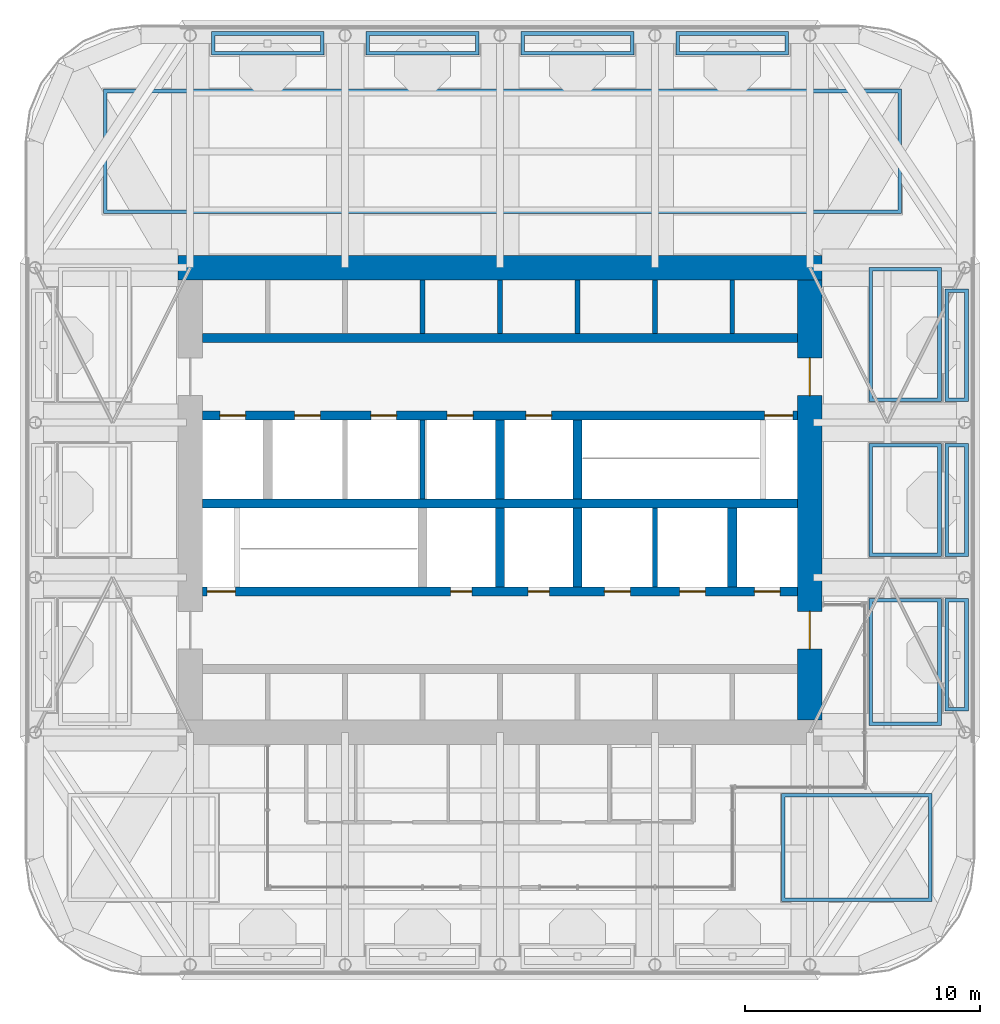
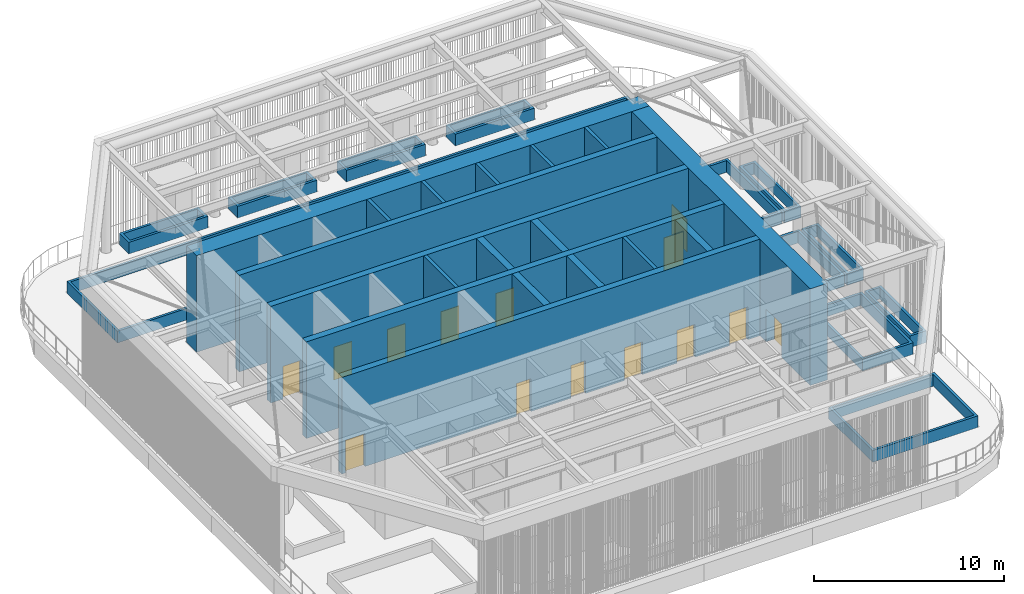
# One storey, part 7 of 22: 30 walls, 14 doors, 14 openings.
"""IFC4 building model written with IfcOpenShell, lengths in metres."""

from ifc_helpers import new_model, si_unit, direction, frame, frame_2d, origin, place, context, subcontext, project, spatial, polyline, rectangle, outline, extrude, material, layer, layer_set, type_object, element, fill, save


model = new_model("IFC4")

# Units and contexts
model_context = context("Model", 3, precision=1e-05, world=origin(), true_north=direction((0.0, 1.0)))
body_context = subcontext(model_context, "Body", "Model", "MODEL_VIEW")
ifc_project = project(units=[si_unit("LENGTHUNIT", "METRE"), si_unit("AREAUNIT", "SQUARE_METRE"), si_unit("VOLUMEUNIT", "CUBIC_METRE"), si_unit("PLANEANGLEUNIT", "RADIAN"), si_unit("MASSUNIT", "GRAM", prefix="KILO")], contexts=[model_context])

# Site, building, storey
site_placement = place(None, origin())
site = spatial("IfcSite", under=ifc_project, at=site_placement, CompositionType="ELEMENT")
building_placement = place(site_placement, origin())
building = spatial("IfcBuilding", under=site, at=building_placement, Name="Cobogo Forest Laboratory Tower", CompositionType="ELEMENT")
storey_placement = place(building_placement, frame((0.0, 0.0, 292.800048828125)))
storey = spatial("IfcBuildingStorey", under=building, at=storey_placement, Name="RF", CompositionType="ELEMENT", Elevation=292.800048828125)

# Wall, openings, doors
ifc_material_1 = material(Name="Concrete HA-50 (C50/60)", Category="concrete")
ifc_layer_1 = layer(ifc_material_1, 0.39990234375)
ifc_layer_set_1 = layer_set([ifc_layer_1], Name="CI400 core inner wall 400")
wall_type_1 = type_object("IfcWallType", Name="CI400 core inner wall 400", PredefinedType="SHEAR", material=ifc_layer_set_1)
wall_1_placement = place(storey_placement, frame((13.72509765625, 19.199951171875, 0.0), z_axis=(0.0, 0.0, 1.0), x_axis=(1.0, 0.0, 0.0)))
wall_1 = element("IfcWall", 1, at=wall_1_placement, inside=storey, type_object=wall_type_1, Name="Core wall CI-19.2 RF", PredefinedType="SHEAR", context=body_context, shape_type="SweptSolid", body=[
    extrude(rectangle(XDim=25.349853515625, YDim=0.39990234375, at=frame_2d((12.6748046875, 0.0))), origin(), (0.0, 0.0, 1.0), 6.199951171875),
])
opening_1_placement = place(wall_1_placement, frame((10.574951171875, 0.0, 0.0)))
opening_1 = element("IfcOpeningElement", 2, at=opening_1_placement, cuts=wall_1, Name="Opening RF-D10", PredefinedType="OPENING", context=body_context, shape_type="SweptSolid", body=[
    extrude(rectangle(XDim=0.89990234375, YDim=2.10009765625, at=frame_2d((0.449951171875, 1.050048828125))), frame((0.0, 0.2099609375, 0.0), z_axis=(0.0, -1.0, 0.0), x_axis=(1.0, 0.0, 0.0)), (0.0, 0.0, 1.0), 0.419921875),
])
opening_2_placement = place(wall_1_placement, frame((13.875, 0.0, 0.0)))
opening_2 = element("IfcOpeningElement", 3, at=opening_2_placement, cuts=wall_1, Name="Opening RF-D11", PredefinedType="OPENING", context=body_context, shape_type="SweptSolid", body=[
    extrude(rectangle(XDim=0.89990234375, YDim=2.10009765625, at=frame_2d((0.449951171875, 1.050048828125))), frame((0.0, 0.2099609375, 0.0), z_axis=(0.0, -1.0, 0.0), x_axis=(1.0, 0.0, 0.0)), (0.0, 0.0, 1.0), 0.419921875),
])
opening_3_placement = place(wall_1_placement, frame((0.199951171875, 0.0, 0.0)))
opening_3 = element("IfcOpeningElement", 4, at=opening_3_placement, cuts=wall_1, Name="Opening RF-D09", PredefinedType="OPENING", context=body_context, shape_type="SweptSolid", body=[
    extrude(rectangle(XDim=1.199951171875, YDim=2.10009765625, at=frame_2d((0.60009765625, 1.050048828125))), frame((0.0, 0.2099609375, 0.0), z_axis=(0.0, -1.0, 0.0), x_axis=(1.0, 0.0, 0.0)), (0.0, 0.0, 1.0), 0.419921875),
])
opening_4_placement = place(wall_1_placement, frame((23.512451171875, 0.0, 0.0)))
opening_4 = element("IfcOpeningElement", 5, at=opening_4_placement, cuts=wall_1, Name="Opening RF-LD-FL2", PredefinedType="OPENING", context=body_context, shape_type="SweptSolid", body=[
    extrude(rectangle(XDim=1.10009765625, YDim=2.10009765625, at=frame_2d((0.550048828125, 1.050048828125))), frame((0.0, 0.2099609375, 0.0), z_axis=(0.0, -1.0, 0.0), x_axis=(1.0, 0.0, 0.0)), (0.0, 0.0, 1.0), 0.419921875),
])
opening_5_placement = place(wall_1_placement, frame((17.125, 0.0, 0.0)))
opening_5 = element("IfcOpeningElement", 6, at=opening_5_placement, cuts=wall_1, Name="Opening RF-LD-LS1", PredefinedType="OPENING", context=body_context, shape_type="SweptSolid", body=[
    extrude(rectangle(XDim=1.10009765625, YDim=2.10009765625, at=frame_2d((0.550048828125, 1.050048828125))), frame((0.0, 0.2099609375, 0.0), z_axis=(0.0, -1.0, 0.0), x_axis=(1.0, 0.0, 0.0)), (0.0, 0.0, 1.0), 0.419921875),
])
opening_6_placement = place(wall_1_placement, frame((20.324951171875, 0.0, 0.0)))
opening_6 = element("IfcOpeningElement", 7, at=opening_6_placement, cuts=wall_1, Name="Opening RF-LD-LS2", PredefinedType="OPENING", context=body_context, shape_type="SweptSolid", body=[
    extrude(rectangle(XDim=1.10009765625, YDim=2.10009765625, at=frame_2d((0.550048828125, 1.050048828125))), frame((0.0, 0.2099609375, 0.0), z_axis=(0.0, -1.0, 0.0), x_axis=(1.0, 0.0, 0.0)), (0.0, 0.0, 1.0), 0.419921875),
])
ifc_material_2 = material(Name="Steel fire door", Category="steel")
door_type_1 = type_object("IfcDoorType", Name="DS1 protected stair door 1200 EI2 60", OperationType="SINGLE_SWING_LEFT", PredefinedType="DOOR", material=ifc_material_2)
door_1_placement = place(opening_3_placement, origin())
door_1 = element("IfcDoor", 8, at=door_1_placement, inside=storey, type_object=door_type_1, Name="Door RF-ST1", OperationType="SINGLE_SWING_LEFT", OverallHeight=2.10009765625, OverallWidth=1.199951171875, PredefinedType="DOOR", context=body_context, shape_type="SweptSolid", body=[
    extrude(rectangle(XDim=1.199951171875, YDim=2.10009765625, at=frame_2d((0.60009765625, 1.050048828125))), frame((0.0, 0.02490234375, 0.0), z_axis=(0.0, -1.0, 0.0), x_axis=(1.0, 0.0, 0.0)), (0.0, 0.0, 1.0), 0.050048828125),
])
fill(opening_3, door_1)
door_type_2 = type_object("IfcDoorType", Name="FD4 riser access door 900 EI2 60", OperationType="SINGLE_SWING_LEFT", PredefinedType="DOOR", material=ifc_material_2)
door_2_placement = place(opening_1_placement, origin())
door_2 = element("IfcDoor", 9, at=door_2_placement, inside=storey, type_object=door_type_2, Name="Door RF-R1", OperationType="SINGLE_SWING_LEFT", OverallHeight=2.10009765625, OverallWidth=0.89990234375, PredefinedType="DOOR", context=body_context, shape_type="SweptSolid", body=[
    extrude(rectangle(XDim=0.89990234375, YDim=2.10009765625, at=frame_2d((0.449951171875, 1.050048828125))), frame((0.0, 0.02490234375, 0.0), z_axis=(0.0, -1.0, 0.0), x_axis=(1.0, 0.0, 0.0)), (0.0, 0.0, 1.0), 0.050048828125),
])
fill(opening_1, door_2)
door_3_placement = place(opening_2_placement, origin())
door_3 = element("IfcDoor", 10, at=door_3_placement, inside=storey, type_object=door_type_2, Name="Door RF-R2", OperationType="SINGLE_SWING_RIGHT", OverallHeight=2.10009765625, OverallWidth=0.89990234375, PredefinedType="DOOR", context=body_context, shape_type="SweptSolid", body=[
    extrude(rectangle(XDim=0.89990234375, YDim=2.10009765625, at=frame_2d((0.449951171875, 1.050048828125))), frame((0.0, 0.02490234375, 0.0), z_axis=(0.0, -1.0, 0.0), x_axis=(1.0, 0.0, 0.0)), (0.0, 0.0, 1.0), 0.050048828125),
])
fill(opening_2, door_3)
ifc_material_3 = material(Name="Stainless steel lift door", Category="steel")
door_type_3 = type_object("IfcDoorType", Name="LD lift landing door 1100", OperationType="DOUBLE_DOOR_SLIDING", PredefinedType="DOOR", material=ifc_material_3)
door_4_placement = place(opening_4_placement, origin())
door_4 = element("IfcDoor", 11, at=door_4_placement, inside=storey, type_object=door_type_3, Name="Lift landing door FL2 RF", OperationType="DOUBLE_DOOR_SLIDING", OverallHeight=2.10009765625, OverallWidth=1.10009765625, PredefinedType="DOOR", context=body_context, shape_type="SweptSolid", body=[
    extrude(rectangle(XDim=1.10009765625, YDim=2.10009765625, at=frame_2d((0.550048828125, 1.050048828125))), frame((0.0, 0.02490234375, 0.0), z_axis=(0.0, -1.0, 0.0), x_axis=(1.0, 0.0, 0.0)), (0.0, 0.0, 1.0), 0.050048828125),
])
fill(opening_4, door_4)
door_5_placement = place(opening_5_placement, origin())
door_5 = element("IfcDoor", 12, at=door_5_placement, inside=storey, type_object=door_type_3, Name="Lift landing door LS1 RF", OperationType="DOUBLE_DOOR_SLIDING", OverallHeight=2.10009765625, OverallWidth=1.10009765625, PredefinedType="DOOR", context=body_context, shape_type="SweptSolid", body=[
    extrude(rectangle(XDim=1.10009765625, YDim=2.10009765625, at=frame_2d((0.550048828125, 1.050048828125))), frame((0.0, 0.02490234375, 0.0), z_axis=(0.0, -1.0, 0.0), x_axis=(1.0, 0.0, 0.0)), (0.0, 0.0, 1.0), 0.050048828125),
])
fill(opening_5, door_5)
door_6_placement = place(opening_6_placement, origin())
door_6 = element("IfcDoor", 13, at=door_6_placement, inside=storey, type_object=door_type_3, Name="Lift landing door LS2 RF", OperationType="DOUBLE_DOOR_SLIDING", OverallHeight=2.10009765625, OverallWidth=1.10009765625, PredefinedType="DOOR", context=body_context, shape_type="SweptSolid", body=[
    extrude(rectangle(XDim=1.10009765625, YDim=2.10009765625, at=frame_2d((0.550048828125, 1.050048828125))), frame((0.0, 0.02490234375, 0.0), z_axis=(0.0, -1.0, 0.0), x_axis=(1.0, 0.0, 0.0)), (0.0, 0.0, 1.0), 0.050048828125),
])
fill(opening_6, door_6)

# Wall
wall_2_placement = place(storey_placement, frame((13.72509765625, 22.949951171875, 0.0), z_axis=(0.0, 0.0, 1.0), x_axis=(1.0, 0.0, 0.0)))
element("IfcWall", 14, at=wall_2_placement, inside=storey, type_object=wall_type_1, Name="Core wall CI-22.95 RF", PredefinedType="SHEAR", context=body_context, shape_type="SweptSolid", body=[
    extrude(rectangle(XDim=25.349853515625, YDim=0.39990234375, at=frame_2d((12.6748046875, 0.0))), origin(), (0.0, 0.0, 1.0), 6.199951171875),
])

# Wall, openings, doors
wall_3_placement = place(storey_placement, frame((13.72509765625, 26.699951171875, 0.0), z_axis=(0.0, 0.0, 1.0), x_axis=(1.0, 0.0, 0.0)))
wall_3 = element("IfcWall", 15, at=wall_3_placement, inside=storey, type_object=wall_type_1, Name="Core wall CI-26.7 RF", PredefinedType="SHEAR", context=body_context, shape_type="SweptSolid", body=[
    extrude(rectangle(XDim=25.349853515625, YDim=0.39990234375, at=frame_2d((12.6748046875, 0.0))), origin(), (0.0, 0.0, 1.0), 6.199951171875),
])
opening_7_placement = place(wall_3_placement, frame((23.949951171875, 0.0, 0.0)))
opening_7 = element("IfcOpeningElement", 16, at=opening_7_placement, cuts=wall_3, Name="Opening RF-D12", PredefinedType="OPENING", context=body_context, shape_type="SweptSolid", body=[
    extrude(rectangle(XDim=1.199951171875, YDim=2.10009765625, at=frame_2d((0.60009765625, 1.050048828125))), frame((0.0, 0.2099609375, 0.0), z_axis=(0.0, -1.0, 0.0), x_axis=(1.0, 0.0, 0.0)), (0.0, 0.0, 1.0), 0.419921875),
])
opening_8_placement = place(wall_3_placement, frame((0.737548828125, 0.0, 0.0)))
opening_8 = element("IfcOpeningElement", 17, at=opening_8_placement, cuts=wall_3, Name="Opening RF-LD-FL1", PredefinedType="OPENING", context=body_context, shape_type="SweptSolid", body=[
    extrude(rectangle(XDim=1.10009765625, YDim=2.10009765625, at=frame_2d((0.550048828125, 1.050048828125))), frame((0.0, 0.2099609375, 0.0), z_axis=(0.0, -1.0, 0.0), x_axis=(1.0, 0.0, 0.0)), (0.0, 0.0, 1.0), 0.419921875),
])
opening_9_placement = place(wall_3_placement, frame((3.925048828125, 0.0, 0.0)))
opening_9 = element("IfcOpeningElement", 18, at=opening_9_placement, cuts=wall_3, Name="Opening RF-LD-LS3", PredefinedType="OPENING", context=body_context, shape_type="SweptSolid", body=[
    extrude(rectangle(XDim=1.10009765625, YDim=2.10009765625, at=frame_2d((0.550048828125, 1.050048828125))), frame((0.0, 0.2099609375, 0.0), z_axis=(0.0, -1.0, 0.0), x_axis=(1.0, 0.0, 0.0)), (0.0, 0.0, 1.0), 0.419921875),
])
opening_10_placement = place(wall_3_placement, frame((7.175048828125, 0.0, 0.0)))
opening_10 = element("IfcOpeningElement", 19, at=opening_10_placement, cuts=wall_3, Name="Opening RF-LD-LS4", PredefinedType="OPENING", context=body_context, shape_type="SweptSolid", body=[
    extrude(rectangle(XDim=1.10009765625, YDim=2.10009765625, at=frame_2d((0.550048828125, 1.050048828125))), frame((0.0, 0.2099609375, 0.0), z_axis=(0.0, -1.0, 0.0), x_axis=(1.0, 0.0, 0.0)), (0.0, 0.0, 1.0), 0.419921875),
])
opening_11_placement = place(wall_3_placement, frame((10.425048828125, 0.0, 0.0)))
opening_11 = element("IfcOpeningElement", 20, at=opening_11_placement, cuts=wall_3, Name="Opening RF-LD-LS5", PredefinedType="OPENING", context=body_context, shape_type="SweptSolid", body=[
    extrude(rectangle(XDim=1.10009765625, YDim=2.10009765625, at=frame_2d((0.550048828125, 1.050048828125))), frame((0.0, 0.2099609375, 0.0), z_axis=(0.0, -1.0, 0.0), x_axis=(1.0, 0.0, 0.0)), (0.0, 0.0, 1.0), 0.419921875),
])
opening_12_placement = place(wall_3_placement, frame((13.77490234375, 0.0, 0.0)))
opening_12 = element("IfcOpeningElement", 21, at=opening_12_placement, cuts=wall_3, Name="Opening RF-LD-LS6", PredefinedType="OPENING", context=body_context, shape_type="SweptSolid", body=[
    extrude(rectangle(XDim=1.10009765625, YDim=2.10009765625, at=frame_2d((0.550048828125, 1.050048828125))), frame((0.0, 0.2099609375, 0.0), z_axis=(0.0, -1.0, 0.0), x_axis=(1.0, 0.0, 0.0)), (0.0, 0.0, 1.0), 0.419921875),
])
door_7_placement = place(opening_7_placement, origin())
door_7 = element("IfcDoor", 22, at=door_7_placement, inside=storey, type_object=door_type_1, Name="Door RF-ST2", OperationType="SINGLE_SWING_RIGHT", OverallHeight=2.10009765625, OverallWidth=1.199951171875, PredefinedType="DOOR", context=body_context, shape_type="SweptSolid", body=[
    extrude(rectangle(XDim=1.199951171875, YDim=2.10009765625, at=frame_2d((0.60009765625, 1.050048828125))), frame((0.0, 0.02490234375, 0.0), z_axis=(0.0, -1.0, 0.0), x_axis=(1.0, 0.0, 0.0)), (0.0, 0.0, 1.0), 0.050048828125),
])
fill(opening_7, door_7)
door_8_placement = place(opening_8_placement, origin())
door_8 = element("IfcDoor", 23, at=door_8_placement, inside=storey, type_object=door_type_3, Name="Lift landing door FL1 RF", OperationType="DOUBLE_DOOR_SLIDING", OverallHeight=2.10009765625, OverallWidth=1.10009765625, PredefinedType="DOOR", context=body_context, shape_type="SweptSolid", body=[
    extrude(rectangle(XDim=1.10009765625, YDim=2.10009765625, at=frame_2d((0.550048828125, 1.050048828125))), frame((0.0, 0.02490234375, 0.0), z_axis=(0.0, -1.0, 0.0), x_axis=(1.0, 0.0, 0.0)), (0.0, 0.0, 1.0), 0.050048828125),
])
fill(opening_8, door_8)
door_9_placement = place(opening_9_placement, origin())
door_9 = element("IfcDoor", 24, at=door_9_placement, inside=storey, type_object=door_type_3, Name="Lift landing door LS3 RF", OperationType="DOUBLE_DOOR_SLIDING", OverallHeight=2.10009765625, OverallWidth=1.10009765625, PredefinedType="DOOR", context=body_context, shape_type="SweptSolid", body=[
    extrude(rectangle(XDim=1.10009765625, YDim=2.10009765625, at=frame_2d((0.550048828125, 1.050048828125))), frame((0.0, 0.02490234375, 0.0), z_axis=(0.0, -1.0, 0.0), x_axis=(1.0, 0.0, 0.0)), (0.0, 0.0, 1.0), 0.050048828125),
])
fill(opening_9, door_9)
door_10_placement = place(opening_10_placement, origin())
door_10 = element("IfcDoor", 25, at=door_10_placement, inside=storey, type_object=door_type_3, Name="Lift landing door LS4 RF", OperationType="DOUBLE_DOOR_SLIDING", OverallHeight=2.10009765625, OverallWidth=1.10009765625, PredefinedType="DOOR", context=body_context, shape_type="SweptSolid", body=[
    extrude(rectangle(XDim=1.10009765625, YDim=2.10009765625, at=frame_2d((0.550048828125, 1.050048828125))), frame((0.0, 0.02490234375, 0.0), z_axis=(0.0, -1.0, 0.0), x_axis=(1.0, 0.0, 0.0)), (0.0, 0.0, 1.0), 0.050048828125),
])
fill(opening_10, door_10)
door_11_placement = place(opening_11_placement, origin())
door_11 = element("IfcDoor", 26, at=door_11_placement, inside=storey, type_object=door_type_3, Name="Lift landing door LS5 RF", OperationType="DOUBLE_DOOR_SLIDING", OverallHeight=2.10009765625, OverallWidth=1.10009765625, PredefinedType="DOOR", context=body_context, shape_type="SweptSolid", body=[
    extrude(rectangle(XDim=1.10009765625, YDim=2.10009765625, at=frame_2d((0.550048828125, 1.050048828125))), frame((0.0, 0.02490234375, 0.0), z_axis=(0.0, -1.0, 0.0), x_axis=(1.0, 0.0, 0.0)), (0.0, 0.0, 1.0), 0.050048828125),
])
fill(opening_11, door_11)
door_12_placement = place(opening_12_placement, origin())
door_12 = element("IfcDoor", 27, at=door_12_placement, inside=storey, type_object=door_type_3, Name="Lift landing door LS6 RF", OperationType="DOUBLE_DOOR_SLIDING", OverallHeight=2.10009765625, OverallWidth=1.10009765625, PredefinedType="DOOR", context=body_context, shape_type="SweptSolid", body=[
    extrude(rectangle(XDim=1.10009765625, YDim=2.10009765625, at=frame_2d((0.550048828125, 1.050048828125))), frame((0.0, 0.02490234375, 0.0), z_axis=(0.0, -1.0, 0.0), x_axis=(1.0, 0.0, 0.0)), (0.0, 0.0, 1.0), 0.050048828125),
])
fill(opening_12, door_12)

# Walls
wall_4_placement = place(storey_placement, frame((13.72509765625, 30.0, 0.0), z_axis=(0.0, 0.0, 1.0), x_axis=(1.0, 0.0, 0.0)))
element("IfcWall", 28, at=wall_4_placement, inside=storey, type_object=wall_type_1, Name="Core wall CI-30.0 RF", PredefinedType="SHEAR", context=body_context, shape_type="SweptSolid", body=[
    extrude(rectangle(XDim=25.349853515625, YDim=0.39990234375, at=frame_2d((12.6748046875, 0.0))), origin(), (0.0, 0.0, 1.0), 6.199951171875),
])
for number, where, z_axis, x_axis, name in (
    (29, (26.39990234375, 19.39990234375, 0.0), (0.0, 0.0, 1.0), (0.0, 1.0, 0.0), "Core wall CX-26.4S RF"),
    (30, (29.699951171875, 19.39990234375, 0.0), (0.0, 0.0, 1.0), (0.0, 1.0, 0.0), "Core wall CX-29.7S RF"),
    (31, (36.300048828125, 19.39990234375, 0.0), (0.0, 0.0, 1.0), (0.0, 1.0, 0.0), "Core wall CX-36.3 RF"),
    (32, (26.39990234375, 23.14990234375, 0.0), (0.0, 0.0, 1.0), (0.0, 1.0, 0.0), "Core wall CX-26.4N RF"),
    (33, (29.699951171875, 23.14990234375, 0.0), (0.0, 0.0, 1.0), (0.0, 1.0, 0.0), "Core wall CX-29.7N RF"),
):
    element("IfcWall", number, at=place(storey_placement, frame(where, z_axis=z_axis, x_axis=x_axis)), inside=storey, type_object=wall_type_1, Name=name, PredefinedType="SHEAR", context=body_context, shape_type="SweptSolid", body=[
        extrude(rectangle(XDim=3.35009765625, YDim=0.39990234375, at=frame_2d((1.675048828125, 0.0))), origin(), (0.0, 0.0, 1.0), 6.199951171875),
    ])

# Wall, openings, doors
ifc_layer_2 = layer(ifc_material_1, 1.050048828125)
ifc_layer_set_2 = layer_set([ifc_layer_2], Name="CW1050 core outer wall 1050")
wall_type_2 = type_object("IfcWallType", Name="CW1050 core outer wall 1050", PredefinedType="SHEAR", material=ifc_layer_set_2)
wall_5_placement = place(storey_placement, frame((39.60009765625, 13.72509765625, 0.0), z_axis=(0.0, 0.0, 1.0), x_axis=(0.0, 1.0, 0.0)))
wall_5 = element("IfcWall", 34, at=wall_5_placement, inside=storey, type_object=wall_type_2, Name="Core wall CO-E RF", PredefinedType="SHEAR", context=body_context, shape_type="SweptSolid", body=[
    extrude(rectangle(XDim=18.75, YDim=1.050048828125, at=frame_2d((9.375, 0.0))), origin(), (0.0, 0.0, 1.0), 6.199951171875),
])
opening_13_placement = place(wall_5_placement, frame((3.02490234375, 0.0, 0.0)))
opening_13 = element("IfcOpeningElement", 35, at=opening_13_placement, cuts=wall_5, Name="Opening RF-D08", PredefinedType="OPENING", context=body_context, shape_type="SweptSolid", body=[
    extrude(rectangle(XDim=1.60009765625, YDim=2.10009765625, at=frame_2d((0.800048828125, 1.050048828125))), frame((0.0, 0.534912109375, 0.0), z_axis=(0.0, -1.0, 0.0), x_axis=(1.0, 0.0, 0.0)), (0.0, 0.0, 1.0), 1.070068359375),
])
opening_14_placement = place(wall_5_placement, frame((13.824951171875, 0.0, 0.0)))
opening_14 = element("IfcOpeningElement", 36, at=opening_14_placement, cuts=wall_5, Name="Opening RF-D14", PredefinedType="OPENING", context=body_context, shape_type="SweptSolid", body=[
    extrude(rectangle(XDim=1.60009765625, YDim=2.10009765625, at=frame_2d((0.800048828125, 1.050048828125))), frame((0.0, 0.534912109375, 0.0), z_axis=(0.0, -1.0, 0.0), x_axis=(1.0, 0.0, 0.0)), (0.0, 0.0, 1.0), 1.070068359375),
])
door_type_4 = type_object("IfcDoorType", Name="DS2 protected lobby door pair 1600 EI2 60", OperationType="DOUBLE_DOOR_DOUBLE_SWING", PredefinedType="DOOR", material=ifc_material_2)
door_13_placement = place(opening_13_placement, origin())
door_13 = element("IfcDoor", 37, at=door_13_placement, inside=storey, type_object=door_type_4, Name="Door RF-CO-E-S", OperationType="DOUBLE_DOOR_DOUBLE_SWING", OverallHeight=2.10009765625, OverallWidth=1.60009765625, PredefinedType="DOOR", context=body_context, shape_type="SweptSolid", body=[
    extrude(rectangle(XDim=1.60009765625, YDim=2.10009765625, at=frame_2d((0.800048828125, 1.050048828125))), frame((0.0, 0.02490234375, 0.0), z_axis=(0.0, -1.0, 0.0), x_axis=(1.0, 0.0, 0.0)), (0.0, 0.0, 1.0), 0.050048828125),
])
fill(opening_13, door_13)
door_14_placement = place(opening_14_placement, origin())
door_14 = element("IfcDoor", 38, at=door_14_placement, inside=storey, type_object=door_type_4, Name="Door RF-CO-E-N", OperationType="DOUBLE_DOOR_DOUBLE_SWING", OverallHeight=2.10009765625, OverallWidth=1.60009765625, PredefinedType="DOOR", context=body_context, shape_type="SweptSolid", body=[
    extrude(rectangle(XDim=1.60009765625, YDim=2.10009765625, at=frame_2d((0.800048828125, 1.050048828125))), frame((0.0, 0.02490234375, 0.0), z_axis=(0.0, -1.0, 0.0), x_axis=(1.0, 0.0, 0.0)), (0.0, 0.0, 1.0), 0.050048828125),
])
fill(opening_14, door_14)

# Walls
wall_6_placement = place(storey_placement, frame((40.125, 33.0, 0.0), z_axis=(0.0, 0.0, 1.0), x_axis=(-1.0, 0.0, 0.0)))
element("IfcWall", 39, at=wall_6_placement, inside=storey, type_object=wall_type_2, Name="Core wall CO-N RF", PredefinedType="SHEAR", context=body_context, shape_type="SweptSolid", body=[
    extrude(rectangle(XDim=27.449951171875, YDim=1.050048828125, at=frame_2d((13.72509765625, 0.0))), origin(), (0.0, 0.0, 1.0), 6.199951171875),
])
ifc_material_4 = material(Name="Concrete HA-40 (C40/50)", Category="concrete")
ifc_layer_3 = layer(ifc_material_4, 0.14990234375)
ifc_layer_set_3 = layer_set([ifc_layer_3], Name="PL3 roof planter bed 750")
wall_type_3 = type_object("IfcWallType", Name="PL3 roof planter bed 750", PredefinedType="USERDEFINED", material=ifc_layer_set_3)
wall_7_placement = place(storey_placement, origin())
element("IfcWall", 40, at=wall_7_placement, inside=storey, type_object=wall_type_3, Name="Roof planter bed N", ObjectType="PLANTER", PredefinedType="USERDEFINED", context=body_context, shape_type="SweptSolid", body=[
    extrude(outline(polyline([(9.5, 35.300048828125), (43.5, 35.300048828125), (43.5, 40.60009765625), (9.5, 40.60009765625), (9.5, 35.300048828125)]), holes=[polyline([(9.64990234375, 35.449951171875), (43.35009765625, 35.449951171875), (43.35009765625, 40.449951171875), (9.64990234375, 40.449951171875), (9.64990234375, 35.449951171875)])]), origin(), (0.0, 0.0, 1.0), 0.75),
])
wall_8_placement = place(storey_placement, origin())
element("IfcWall", 41, at=wall_8_placement, inside=storey, type_object=wall_type_3, Name="Roof planter bed E1", ObjectType="PLANTER", PredefinedType="USERDEFINED", context=body_context, shape_type="SweptSolid", body=[
    extrude(outline(polyline([(42.125, 13.5), (45.199951171875, 13.5), (45.199951171875, 18.89990234375), (42.125, 18.89990234375), (42.125, 13.5)]), holes=[polyline([(42.27490234375, 13.64990234375), (45.050048828125, 13.64990234375), (45.050048828125, 18.75), (42.27490234375, 18.75), (42.27490234375, 13.64990234375)])]), origin(), (0.0, 0.0, 1.0), 0.75),
])
wall_9_placement = place(storey_placement, origin())
element("IfcWall", 42, at=wall_9_placement, inside=storey, type_object=wall_type_3, Name="Roof planter bed E2", ObjectType="PLANTER", PredefinedType="USERDEFINED", context=body_context, shape_type="SweptSolid", body=[
    extrude(outline(polyline([(42.125, 20.699951171875), (45.199951171875, 20.699951171875), (45.199951171875, 25.5), (42.125, 25.5), (42.125, 20.699951171875)]), holes=[polyline([(42.27490234375, 20.85009765625), (45.050048828125, 20.85009765625), (45.050048828125, 25.35009765625), (42.27490234375, 25.35009765625), (42.27490234375, 20.85009765625)])]), origin(), (0.0, 0.0, 1.0), 0.75),
])
wall_10_placement = place(storey_placement, origin())
element("IfcWall", 43, at=wall_10_placement, inside=storey, type_object=wall_type_3, Name="Roof planter bed E3", ObjectType="PLANTER", PredefinedType="USERDEFINED", context=body_context, shape_type="SweptSolid", body=[
    extrude(outline(polyline([(42.125, 27.300048828125), (45.199951171875, 27.300048828125), (45.199951171875, 33.0), (42.125, 33.0), (42.125, 27.300048828125)]), holes=[polyline([(42.27490234375, 27.449951171875), (45.050048828125, 27.449951171875), (45.050048828125, 32.85009765625), (42.27490234375, 32.85009765625), (42.27490234375, 27.449951171875)])]), origin(), (0.0, 0.0, 1.0), 0.75),
])
wall_11_placement = place(storey_placement, origin())
element("IfcWall", 44, at=wall_11_placement, inside=storey, type_object=wall_type_3, Name="Roof planter bed SE", ObjectType="PLANTER", PredefinedType="USERDEFINED", context=body_context, shape_type="SweptSolid", body=[
    extrude(outline(polyline([(38.39990234375, 6.0), (44.800048828125, 6.0), (44.800048828125, 10.60009765625), (38.39990234375, 10.60009765625), (38.39990234375, 6.0)]), holes=[polyline([(38.550048828125, 6.14990234375), (44.64990234375, 6.14990234375), (44.64990234375, 10.449951171875), (38.550048828125, 10.449951171875), (38.550048828125, 6.14990234375)])]), origin(), (0.0, 0.0, 1.0), 0.75),
])
ifc_layer_4 = layer(ifc_material_4, 0.14990234375)
ifc_layer_set_4 = layer_set([ifc_layer_4], Name="Planter box 1000x750")
wall_type_4 = type_object("IfcWallType", Name="Planter box 1000x750", PredefinedType="USERDEFINED", material=ifc_layer_set_4)
wall_12_placement = place(storey_placement, origin())
element("IfcWall", 45, at=wall_12_placement, inside=storey, type_object=wall_type_4, Name="Roof garden planter E1", ObjectType="PLANTER", PredefinedType="USERDEFINED", context=body_context, shape_type="SweptSolid", body=[
    extrude(outline(polyline([(45.35009765625, 14.10009765625), (46.35009765625, 14.10009765625), (46.35009765625, 18.89990234375), (45.35009765625, 18.89990234375), (45.35009765625, 14.10009765625)]), holes=[polyline([(45.5, 14.25), (46.199951171875, 14.25), (46.199951171875, 18.75), (45.5, 18.75), (45.5, 14.25)])]), origin(), (0.0, 0.0, 1.0), 0.75),
])
wall_13_placement = place(storey_placement, origin())
element("IfcWall", 46, at=wall_13_placement, inside=storey, type_object=wall_type_4, Name="Roof garden planter E2", ObjectType="PLANTER", PredefinedType="USERDEFINED", context=body_context, shape_type="SweptSolid", body=[
    extrude(outline(polyline([(45.35009765625, 20.699951171875), (46.35009765625, 20.699951171875), (46.35009765625, 25.5), (45.35009765625, 25.5), (45.35009765625, 20.699951171875)]), holes=[polyline([(45.5, 20.85009765625), (46.199951171875, 20.85009765625), (46.199951171875, 25.35009765625), (45.5, 25.35009765625), (45.5, 20.85009765625)])]), origin(), (0.0, 0.0, 1.0), 0.75),
])
wall_14_placement = place(storey_placement, origin())
element("IfcWall", 47, at=wall_14_placement, inside=storey, type_object=wall_type_4, Name="Roof garden planter E3", ObjectType="PLANTER", PredefinedType="USERDEFINED", context=body_context, shape_type="SweptSolid", body=[
    extrude(outline(polyline([(45.35009765625, 27.300048828125), (46.35009765625, 27.300048828125), (46.35009765625, 32.10009765625), (45.35009765625, 32.10009765625), (45.35009765625, 27.300048828125)]), holes=[polyline([(45.5, 27.449951171875), (46.199951171875, 27.449951171875), (46.199951171875, 31.949951171875), (45.5, 31.949951171875), (45.5, 27.449951171875)])]), origin(), (0.0, 0.0, 1.0), 0.75),
])
wall_15_placement = place(storey_placement, origin())
element("IfcWall", 48, at=wall_15_placement, inside=storey, type_object=wall_type_4, Name="Roof garden planter N1", ObjectType="PLANTER", PredefinedType="USERDEFINED", context=body_context, shape_type="SweptSolid", body=[
    extrude(outline(polyline([(14.10009765625, 42.050048828125), (18.89990234375, 42.050048828125), (18.89990234375, 43.050048828125), (14.10009765625, 43.050048828125), (14.10009765625, 42.050048828125)]), holes=[polyline([(14.25, 42.199951171875), (18.75, 42.199951171875), (18.75, 42.89990234375), (14.25, 42.89990234375), (14.25, 42.199951171875)])]), origin(), (0.0, 0.0, 1.0), 0.75),
])
wall_16_placement = place(storey_placement, origin())
element("IfcWall", 49, at=wall_16_placement, inside=storey, type_object=wall_type_4, Name="Roof garden planter N2", ObjectType="PLANTER", PredefinedType="USERDEFINED", context=body_context, shape_type="SweptSolid", body=[
    extrude(outline(polyline([(20.699951171875, 42.050048828125), (25.5, 42.050048828125), (25.5, 43.050048828125), (20.699951171875, 43.050048828125), (20.699951171875, 42.050048828125)]), holes=[polyline([(20.85009765625, 42.199951171875), (25.35009765625, 42.199951171875), (25.35009765625, 42.89990234375), (20.85009765625, 42.89990234375), (20.85009765625, 42.199951171875)])]), origin(), (0.0, 0.0, 1.0), 0.75),
])
wall_17_placement = place(storey_placement, origin())
element("IfcWall", 50, at=wall_17_placement, inside=storey, type_object=wall_type_4, Name="Roof garden planter N3", ObjectType="PLANTER", PredefinedType="USERDEFINED", context=body_context, shape_type="SweptSolid", body=[
    extrude(outline(polyline([(27.300048828125, 42.050048828125), (32.10009765625, 42.050048828125), (32.10009765625, 43.050048828125), (27.300048828125, 43.050048828125), (27.300048828125, 42.050048828125)]), holes=[polyline([(27.449951171875, 42.199951171875), (31.949951171875, 42.199951171875), (31.949951171875, 42.89990234375), (27.449951171875, 42.89990234375), (27.449951171875, 42.199951171875)])]), origin(), (0.0, 0.0, 1.0), 0.75),
])
wall_18_placement = place(storey_placement, origin())
element("IfcWall", 51, at=wall_18_placement, inside=storey, type_object=wall_type_4, Name="Roof garden planter N4", ObjectType="PLANTER", PredefinedType="USERDEFINED", context=body_context, shape_type="SweptSolid", body=[
    extrude(outline(polyline([(33.89990234375, 42.050048828125), (38.699951171875, 42.050048828125), (38.699951171875, 43.050048828125), (33.89990234375, 43.050048828125), (33.89990234375, 42.050048828125)]), holes=[polyline([(34.050048828125, 42.199951171875), (38.550048828125, 42.199951171875), (38.550048828125, 42.89990234375), (34.050048828125, 42.89990234375), (34.050048828125, 42.199951171875)])]), origin(), (0.0, 0.0, 1.0), 0.75),
])
ifc_material_5 = material(Name="Concrete block", Category="concrete")
ifc_layer_5 = layer(ifc_material_5, 0.199951171875)
ifc_layer_set_5 = layer_set([ifc_layer_5], Name="SW200 lift shaft separator 200")
wall_type_5 = type_object("IfcWallType", Name="SW200 lift shaft separator 200", PredefinedType="PARTITIONING", material=ifc_layer_set_5)
for number, where, z_axis, x_axis, name in (
    (52, (23.10009765625, 30.199951171875, 0.0), (0.0, 0.0, 1.0), (0.0, 1.0, 0.0), "Core wall SEP-N3 RF"),
    (53, (26.39990234375, 30.199951171875, 0.0), (0.0, 0.0, 1.0), (0.0, 1.0, 0.0), "Core wall SEP-N4 RF"),
    (54, (29.699951171875, 30.199951171875, 0.0), (0.0, 0.0, 1.0), (0.0, 1.0, 0.0), "Core wall SEP-N5 RF"),
    (55, (33.0, 30.199951171875, 0.0), (0.0, 0.0, 1.0), (0.0, 1.0, 0.0), "Core wall SEP-N6 RF"),
    (56, (36.300048828125, 30.199951171875, 0.0), (0.0, 0.0, 1.0), (0.0, 1.0, 0.0), "Core wall SEP-N7 RF"),
):
    element("IfcWall", number, at=place(storey_placement, frame(where, z_axis=z_axis, x_axis=x_axis)), inside=storey, type_object=wall_type_5, Name=name, PredefinedType="PARTITIONING", context=body_context, shape_type="SweptSolid", body=[
        extrude(rectangle(XDim=2.275146484375, YDim=0.199951171875, at=frame_2d((1.1376953125, 0.0))), origin(), (0.0, 0.0, 1.0), 6.199951171875),
    ])
for number, where, z_axis, x_axis, name in (
    (57, (33.0, 19.39990234375, 0.0), (0.0, 0.0, 1.0), (0.0, 1.0, 0.0), "Core wall SEP-M33.0 RF"),
    (58, (23.10009765625, 23.14990234375, 0.0), (0.0, 0.0, 1.0), (0.0, 1.0, 0.0), "Core wall SEP-M23.1 RF"),
):
    element("IfcWall", number, at=place(storey_placement, frame(where, z_axis=z_axis, x_axis=x_axis)), inside=storey, type_object=wall_type_5, Name=name, PredefinedType="PARTITIONING", context=body_context, shape_type="SweptSolid", body=[
        extrude(rectangle(XDim=3.35009765625, YDim=0.199951171875, at=frame_2d((1.675048828125, 0.0))), origin(), (0.0, 0.0, 1.0), 6.199951171875),
    ])

save(model, "model.ifc")
